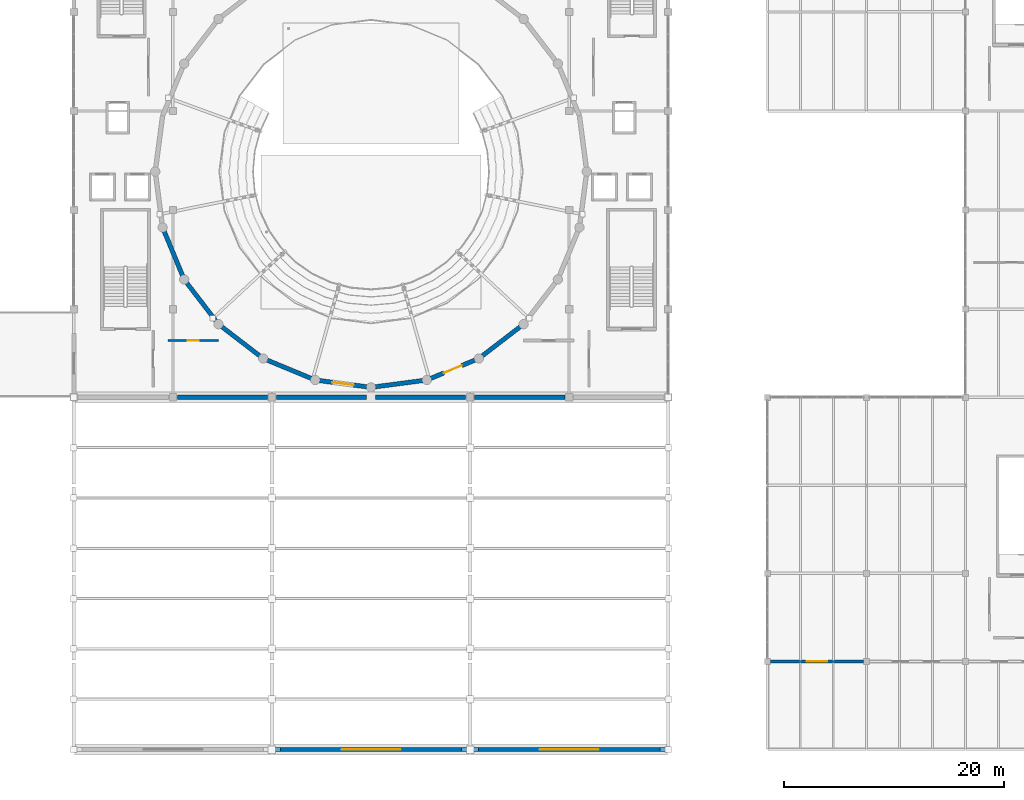
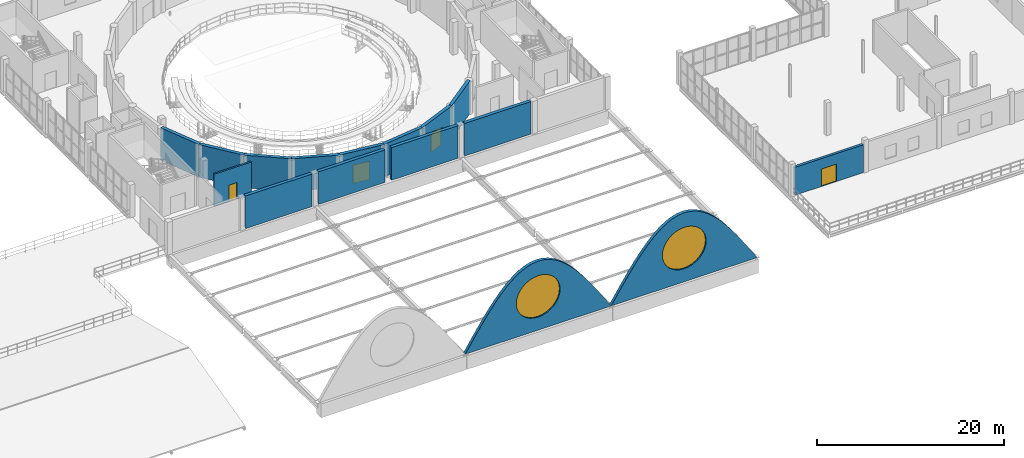
# One storey, part 41 of 54: 16 walls, 4 doors, 2 windows, 6 openings.
"""IFC4 building model written with IfcOpenShell, lengths in metres."""

from ifc_helpers import new_model, si_unit, direction, frame, frame_2d, origin, place, context, subcontext, project, spatial, polyline, rectangle, outline, extrude, material, layer, layer_set, type_object, element, fill, save


model = new_model("IFC4")

# Units and contexts
model_context = context("Model", 3, precision=1e-05, world=origin(), true_north=direction((0.0, 1.0)))
body_context = subcontext(model_context, "Body", "Model", "MODEL_VIEW")
ifc_project = project(units=[si_unit("LENGTHUNIT", "METRE"), si_unit("AREAUNIT", "SQUARE_METRE"), si_unit("VOLUMEUNIT", "CUBIC_METRE"), si_unit("PLANEANGLEUNIT", "RADIAN"), si_unit("MASSUNIT", "GRAM", prefix="KILO")], contexts=[model_context])

# Site, building, storey
site_placement = place(None, origin())
site = spatial("IfcSite", under=ifc_project, at=site_placement, CompositionType="ELEMENT")
building_placement = place(site_placement, origin())
building = spatial("IfcBuilding", under=site, at=building_placement, Name="Marnock Terrace Opera House", CompositionType="ELEMENT")
storey_placement = place(building_placement, frame((0.0, 0.0, 19.199951171875)))
storey = spatial("IfcBuildingStorey", under=building, at=storey_placement, Name="L04", CompositionType="ELEMENT", Elevation=19.199951171875)

# Wall, opening, door
ifc_material_1 = material(Name="Basket Range sandstone ashlar masonry", Category="masonry")
ifc_layer_1 = layer(ifc_material_1, 0.31005859375)
ifc_layer_set_1 = layer_set([ifc_layer_1], Name="Basket Range sandstone ashlar masonry")
wall_type_1 = type_object("IfcWallType", Name="EW-ATTIC-310", PredefinedType="SOLIDWALL", material=ifc_layer_set_1)
wall_1_placement = place(storey_placement, frame((126.72900390625, 16.0, 0.0), z_axis=(0.0, 0.0, 1.0), x_axis=(-1.0, 0.0, 0.0)))
wall_1 = element("IfcWall", 1, at=wall_1_placement, inside=storey, type_object=wall_type_1, Name="L04 Volume 5 south sandstone facade 1", PredefinedType="SOLIDWALL", context=body_context, shape_type="SweptSolid", body=[
    extrude(rectangle(XDim=8.4580078125, YDim=0.31005859375, at=frame_2d((4.22900390625, 0.0))), origin(), (0.0, 0.0, 1.0), 3.638427734375),
])
opening_1_placement = place(wall_1_placement, frame((3.303955078125, 0.0, 0.0)))
opening_1 = element("IfcOpeningElement", 2, at=opening_1_placement, cuts=wall_1, Name="Opening TD-04", PredefinedType="OPENING", context=body_context, shape_type="SweptSolid", body=[
    extrude(rectangle(XDim=1.85009765625, YDim=2.280029296875, at=frame_2d((0.925048828125, 1.14013671875))), frame((0.0, 0.1650390625, 0.0), z_axis=(0.0, -1.0, 0.0), x_axis=(1.0, 0.0, 0.0)), (0.0, 0.0, 1.0), 0.330078125),
])
ifc_material_2 = material(Name="Anodised architectural bronze aluminium framing", Category="aluminium")
door_type_1 = type_object("IfcDoorType", Name="DT-TERR-1850", OperationType="NOTDEFINED", PredefinedType="DOOR", material=ifc_material_2)
door_1_placement = place(opening_1_placement, origin())
door_1 = element("IfcDoor", 3, at=door_1_placement, inside=storey, type_object=door_type_1, Name="Exterior door TD-04", OperationType="DOUBLE_DOOR_SINGLE_SWING", OverallHeight=2.280029296875, OverallWidth=1.85009765625, PredefinedType="DOOR", context=body_context, shape_type="SweptSolid", body=[
    extrude(rectangle(XDim=1.85009765625, YDim=2.280029296875, at=frame_2d((0.925048828125, 1.14013671875))), frame((0.0, 0.02490234375, 0.0), z_axis=(0.0, -1.0, 0.0), x_axis=(1.0, 0.0, 0.0)), (0.0, 0.0, 1.0), 0.050048828125),
])
fill(opening_1, door_1)

ifc_material_3 = material(Name="Moisture-resistant tiled service duct framing")
ifc_layer_2 = layer(ifc_material_3, 0.205078125)
ifc_layer_set_2 = layer_set([ifc_layer_2], Name="Moisture-resistant tiled service duct framing")
wall_type_2 = type_object("IfcWallType", Name="IW-PLUMB-205", PredefinedType="PLUMBINGWALL", material=ifc_layer_set_2)
wall_2_placement = place(storey_placement, frame((63.550048828125, 45.14990234375, 0.0), z_axis=(0.0, 0.0, 1.0), x_axis=(1.0, 0.0, 0.0)))
wall_2 = element("IfcWall", 4, at=wall_2_placement, inside=storey, type_object=wall_type_2, Name="L04 Public WC L04 Central acoustic partition wall", PredefinedType="PLUMBINGWALL", context=body_context, shape_type="SweptSolid", body=[
    extrude(rectangle(XDim=4.599853515625, YDim=0.205078125, at=frame_2d((2.2998046875, 0.0))), origin(), (0.0, 0.0, 1.0), 4.199951171875),
])
opening_2_placement = place(wall_2_placement, frame((1.81005859375, 0.0, 0.0)))
opening_2 = element("IfcOpeningElement", 5, at=opening_2_placement, cuts=wall_2, Name="Opening D-L04-12", PredefinedType="OPENING", context=body_context, shape_type="SweptSolid", body=[
    extrude(rectangle(XDim=0.97998046875, YDim=2.139892578125, at=frame_2d((0.489990234375, 1.06982421875))), frame((0.0, 0.112548828125, 0.0), z_axis=(0.0, -1.0, 0.0), x_axis=(1.0, 0.0, 0.0)), (0.0, 0.0, 1.0), 0.22509765625),
])
ifc_material_4 = material(Name="Solid-core Tasmanian oak acoustic door leaf")
door_type_2 = type_object("IfcDoorType", Name="DT-WC-980", OperationType="NOTDEFINED", PredefinedType="DOOR", material=ifc_material_4)
door_2_placement = place(opening_2_placement, origin())
door_2 = element("IfcDoor", 6, at=door_2_placement, inside=storey, type_object=door_type_2, Name="L04 Public WC L04 Central entrance door", OperationType="SINGLE_SWING_RIGHT", OverallHeight=2.139892578125, OverallWidth=0.97998046875, PredefinedType="DOOR", context=body_context, shape_type="SweptSolid", body=[
    extrude(rectangle(XDim=0.97998046875, YDim=2.139892578125, at=frame_2d((0.489990234375, 1.06982421875))), frame((0.0, 0.02490234375, 0.0), z_axis=(0.0, -1.0, 0.0), x_axis=(1.0, 0.0, 0.0)), (0.0, 0.0, 1.0), 0.050048828125),
])
fill(opening_2, door_2)

# Walls
ifc_material_5 = material(Name="Concrete N50 (f'c = 50 MPa)", Category="concrete")
ifc_layer_3 = layer(ifc_material_5, 0.39990234375)
ifc_layer_set_3 = layer_set([ifc_layer_3], Name="Concrete N50 (f'c = 50 MPa)")
wall_type_3 = type_object("IfcWallType", Name="SW-DRUM-400", PredefinedType="SHEAR", material=ifc_layer_set_3)
for number, where, z_axis, x_axis, name in (
    (7, (63.068115234375, 55.427001953125, 0.0), (0.0, 0.0, 1.0), (0.382642581018, -0.923896452635, 0.0), "L04 cylindrical auditorium drum shear wall 14"),
    (8, (65.02587890625, 50.699951171875, 0.0), (0.0, 0.0, 1.0), (0.608857194409, -0.793279847731, 0.0), "L04 cylindrical auditorium drum shear wall 15"),
    (9, (68.14111328125, 46.64111328125, 0.0), (0.0, 0.0, 1.0), (0.793279847731, -0.608857194409, 0.0), "L04 cylindrical auditorium drum shear wall 16"),
    (10, (72.199951171875, 43.52587890625, 0.0), (0.0, 0.0, 1.0), (0.923896452635, -0.382642581018, 0.0), "L04 cylindrical auditorium drum shear wall 17"),
):
    element("IfcWall", number, at=place(storey_placement, frame(where, z_axis=z_axis, x_axis=x_axis)), inside=storey, type_object=wall_type_3, Name=name, PredefinedType="SHEAR", context=body_context, shape_type="SweptSolid", body=[
        extrude(rectangle(XDim=5.116455078125, YDim=0.39990234375, at=frame_2d((2.55810546875, 0.0))), origin(), (0.0, 0.0, 1.0), 4.25),
    ])

# Wall, opening, door
wall_3_placement = place(storey_placement, frame((76.927001953125, 41.568115234375, 0.0), z_axis=(0.0, 0.0, 1.0), x_axis=(0.99143625958, -0.130591512704, 0.0)))
wall_3 = element("IfcWall", 11, at=wall_3_placement, inside=storey, type_object=wall_type_3, Name="L04 cylindrical auditorium drum shear wall 18", PredefinedType="SHEAR", context=body_context, shape_type="SweptSolid", body=[
    extrude(rectangle(XDim=5.11669921875, YDim=0.39990234375, at=frame_2d((2.558349609375, 0.0))), origin(), (0.0, 0.0, 1.0), 4.25),
])
opening_3_placement = place(wall_3_placement, frame((1.58349609375, 0.0, 0.0)))
opening_3 = element("IfcOpeningElement", 12, at=opening_3_placement, cuts=wall_3, Name="Opening AD-L04-17", PredefinedType="OPENING", context=body_context, shape_type="SweptSolid", body=[
    extrude(rectangle(XDim=1.949951171875, YDim=2.39990234375, at=frame_2d((0.97509765625, 1.199951171875))), frame((0.0, 0.2099609375, 0.0), z_axis=(0.0, -1.0, 0.0), x_axis=(1.0, 0.0, 0.0)), (0.0, 0.0, 1.0), 0.419921875),
])
door_type_3 = type_object("IfcDoorType", Name="DT-AUD-1950", OperationType="NOTDEFINED", PredefinedType="DOOR", material=ifc_material_4)
door_3_placement = place(opening_3_placement, origin())
door_3 = element("IfcDoor", 13, at=door_3_placement, inside=storey, type_object=door_type_3, Name="L04 Auditorium sound-lock double door 17", OperationType="DOUBLE_DOOR_SINGLE_SWING", OverallHeight=2.39990234375, OverallWidth=1.949951171875, PredefinedType="DOOR", context=body_context, shape_type="SweptSolid", body=[
    extrude(rectangle(XDim=1.949951171875, YDim=2.39990234375, at=frame_2d((0.97509765625, 1.199951171875))), frame((0.0, 0.02490234375, 0.0), z_axis=(0.0, -1.0, 0.0), x_axis=(1.0, 0.0, 0.0)), (0.0, 0.0, 1.0), 0.050048828125),
])
fill(opening_3, door_3)

# Wall
wall_4_placement = place(storey_placement, frame((82.0, 40.89990234375, 0.0), z_axis=(0.0, 0.0, 1.0), x_axis=(0.99143625958, 0.130591512704, 0.0)))
element("IfcWall", 14, at=wall_4_placement, inside=storey, type_object=wall_type_3, Name="L04 cylindrical auditorium drum shear wall 19", PredefinedType="SHEAR", context=body_context, shape_type="SweptSolid", body=[
    extrude(rectangle(XDim=5.11669921875, YDim=0.39990234375, at=frame_2d((2.558349609375, 0.0))), origin(), (0.0, 0.0, 1.0), 4.25),
])

# Wall, opening, door
wall_5_placement = place(storey_placement, frame((87.072998046875, 41.568115234375, 0.0), z_axis=(0.0, 0.0, 1.0), x_axis=(0.923896452635, 0.382642581018, 0.0)))
wall_5 = element("IfcWall", 15, at=wall_5_placement, inside=storey, type_object=wall_type_3, Name="L04 cylindrical auditorium drum shear wall 20", PredefinedType="SHEAR", context=body_context, shape_type="SweptSolid", body=[
    extrude(rectangle(XDim=5.116455078125, YDim=0.39990234375, at=frame_2d((2.55810546875, 0.0))), origin(), (0.0, 0.0, 1.0), 4.25),
])
opening_4_placement = place(wall_5_placement, frame((1.68310546875, 0.0, 0.0)))
opening_4 = element("IfcOpeningElement", 16, at=opening_4_placement, cuts=wall_5, Name="Opening AD-L04-19", PredefinedType="OPENING", context=body_context, shape_type="SweptSolid", body=[
    extrude(rectangle(XDim=1.75, YDim=2.35009765625, at=frame_2d((0.875, 1.175048828125))), frame((0.0, 0.2099609375, 0.0), z_axis=(0.0, -1.0, 0.0), x_axis=(1.0, 0.0, 0.0)), (0.0, 0.0, 1.0), 0.419921875),
])
door_type_4 = type_object("IfcDoorType", Name="DT-AUD-1750", OperationType="NOTDEFINED", PredefinedType="DOOR", material=ifc_material_4)
door_4_placement = place(opening_4_placement, origin())
door_4 = element("IfcDoor", 17, at=door_4_placement, inside=storey, type_object=door_type_4, Name="L04 Auditorium sound-lock double door 19", OperationType="DOUBLE_DOOR_SINGLE_SWING", OverallHeight=2.35009765625, OverallWidth=1.75, PredefinedType="DOOR", context=body_context, shape_type="SweptSolid", body=[
    extrude(rectangle(XDim=1.75, YDim=2.35009765625, at=frame_2d((0.875, 1.175048828125))), frame((0.0, 0.02490234375, 0.0), z_axis=(0.0, -1.0, 0.0), x_axis=(1.0, 0.0, 0.0)), (0.0, 0.0, 1.0), 0.050048828125),
])
fill(opening_4, door_4)

# Walls
wall_6_placement = place(storey_placement, frame((91.800048828125, 43.52587890625, 0.0), z_axis=(0.0, 0.0, 1.0), x_axis=(0.793279847731, 0.608857194409, 0.0)))
element("IfcWall", 18, at=wall_6_placement, inside=storey, type_object=wall_type_3, Name="L04 cylindrical auditorium drum shear wall 21", PredefinedType="SHEAR", context=body_context, shape_type="SweptSolid", body=[
    extrude(rectangle(XDim=5.116455078125, YDim=0.39990234375, at=frame_2d((2.55810546875, 0.0))), origin(), (0.0, 0.0, 1.0), 4.25),
])
for number, where, z_axis, x_axis, name in (
    (19, (64.39990234375, 40.0, 0.0), (0.0, 0.0, 1.0), (1.0, 0.0, 0.0), "L04 Drum block south structural diaphragm wall"),
    (20, (73.39990234375, 40.0, 0.0), (0.0, 0.0, 1.0), (1.0, 0.0, 0.0), "L04 Drum block south structural diaphragm wall"),
    (21, (82.39990234375, 40.0, 0.0), (0.0, 0.0, 1.0), (1.0, 0.0, 0.0), "L04 Drum block south structural diaphragm wall"),
    (22, (91.39990234375, 40.0, 0.0), (0.0, 0.0, 1.0), (1.0, 0.0, 0.0), "L04 Drum block south structural diaphragm wall"),
):
    element("IfcWall", number, at=place(storey_placement, frame(where, z_axis=z_axis, x_axis=x_axis)), inside=storey, type_object=wall_type_3, Name=name, PredefinedType="SHEAR", context=body_context, shape_type="SweptSolid", body=[
        extrude(rectangle(XDim=8.2001953125, YDim=0.39990234375, at=frame_2d((4.10009765625, 0.0))), origin(), (0.0, 0.0, 1.0), 4.25),
    ])

# Wall, opening, window
ifc_material_6 = material(Name="Concrete N40 (f'c = 40 MPa)", Category="concrete")
ifc_layer_4 = layer(ifc_material_6, 0.3798828125)
ifc_layer_set_4 = layer_set([ifc_layer_4], Name="Concrete N40 (f'c = 40 MPa)")
wall_type_4 = type_object("IfcWallType", Name="SW-WORK-380", PredefinedType="SHEAR", material=ifc_layer_set_4)
wall_7_placement = place(storey_placement, frame((73.0, 8.0, 0.0), z_axis=(0.0, 0.0, 1.0), x_axis=(1.0, 0.0, 0.0)))
wall_7 = element("IfcWall", 23, at=wall_7_placement, inside=storey, type_object=wall_type_4, Name="Grand Hall south pale-rendered semicircular structural gable 2", PredefinedType="SHEAR", context=body_context, shape_type="SweptSolid", body=[
    extrude(outline(polyline([(0.0, 0.0), (18.0, 0.0), (18.0, 0.0), (17.25, 1.1748046875), (16.5, 2.329345703125), (15.75, 3.4443359375), (15.0, 4.5), (14.25, 5.47900390625), (13.5, 6.364013671875), (12.75, 7.14013671875), (12.0, 7.794189453125), (11.25, 8.31494140625), (10.5, 8.693359375), (9.75, 8.923095703125), (9.0, 9.0), (8.25, 8.923095703125), (7.5, 8.693359375), (6.75, 8.31494140625), (6.0, 7.794189453125), (5.25, 7.14013671875), (4.5, 6.364013671875), (3.75, 5.47900390625), (3.0, 4.5), (2.25, 3.4443359375), (1.5, 2.329345703125), (0.75, 1.1748046875), (0.0, 0.0), (0.0, 0.0)])), frame((0.0, 0.18994140625, 0.0), z_axis=(0.0, -1.0, 0.0), x_axis=(1.0, 0.0, 0.0)), (0.0, 0.0, 1.0), 0.3798828125),
])
opening_5_placement = place(wall_7_placement, frame((6.300048828125, 0.0, 1.699951171875)))
opening_5 = element("IfcOpeningElement", 24, at=opening_5_placement, cuts=wall_7, Name="Opening WT-64", PredefinedType="OPENING", context=body_context, shape_type="SweptSolid", body=[
    extrude(outline(polyline([(5.39990234375, 2.699951171875), (5.34814453125, 3.226806640625), (5.1943359375, 3.733154296875), (4.94482421875, 4.199951171875), (4.609130859375, 4.609130859375), (4.199951171875, 4.94482421875), (3.733154296875, 5.1943359375), (3.226806640625, 5.34814453125), (2.699951171875, 5.39990234375), (2.173095703125, 5.34814453125), (1.666748046875, 5.1943359375), (1.199951171875, 4.94482421875), (0.790771484375, 4.609130859375), (0.455078125, 4.199951171875), (0.20556640625, 3.733154296875), (0.0517578125, 3.226806640625), (0.0, 2.699951171875), (0.0517578125, 2.173095703125), (0.20556640625, 1.666748046875), (0.455078125, 1.199951171875), (0.790771484375, 0.790771484375), (1.199951171875, 0.455078125), (1.666748046875, 0.20556640625), (2.173095703125, 0.0517578125), (2.699951171875, 0.0), (3.226806640625, 0.0517578125), (3.733154296875, 0.20556640625), (4.199951171875, 0.455078125), (4.609130859375, 0.790771484375), (4.94482421875, 1.199951171875), (5.1943359375, 1.666748046875), (5.34814453125, 2.173095703125), (5.39990234375, 2.699951171875)])), frame((0.0, 0.199951171875, 0.0), z_axis=(0.0, -1.0, 0.0), x_axis=(1.0, 0.0, 0.0)), (0.0, 0.0, 1.0), 0.39990234375),
])
ifc_material_7 = material(Name="Double-glazed acoustic low-E laminated glass", Category="glass")
window_type = type_object("IfcWindowType", Name="WT-OCULUS-5400", PartitioningType="SINGLE_PANEL", PredefinedType="WINDOW", material=ifc_material_7)
window_1_placement = place(opening_5_placement, origin())
window_1 = element("IfcWindow", 25, at=window_1_placement, inside=storey, type_object=window_type, Name="Grand Hall south gable 5.40 m round oculus window 2", OverallHeight=5.39990234375, OverallWidth=5.39990234375, PartitioningType="SINGLE_PANEL", PredefinedType="WINDOW", context=body_context, shape_type="SweptSolid", body=[
    extrude(outline(polyline([(5.39990234375, 2.699951171875), (5.34814453125, 3.226806640625), (5.1943359375, 3.733154296875), (4.94482421875, 4.199951171875), (4.609130859375, 4.609130859375), (4.199951171875, 4.94482421875), (3.733154296875, 5.1943359375), (3.226806640625, 5.34814453125), (2.699951171875, 5.39990234375), (2.173095703125, 5.34814453125), (1.666748046875, 5.1943359375), (1.199951171875, 4.94482421875), (0.790771484375, 4.609130859375), (0.455078125, 4.199951171875), (0.20556640625, 3.733154296875), (0.0517578125, 3.226806640625), (0.0, 2.699951171875), (0.0517578125, 2.173095703125), (0.20556640625, 1.666748046875), (0.455078125, 1.199951171875), (0.790771484375, 0.790771484375), (1.199951171875, 0.455078125), (1.666748046875, 0.20556640625), (2.173095703125, 0.0517578125), (2.699951171875, 0.0), (3.226806640625, 0.0517578125), (3.733154296875, 0.20556640625), (4.199951171875, 0.455078125), (4.609130859375, 0.790771484375), (4.94482421875, 1.199951171875), (5.1943359375, 1.666748046875), (5.34814453125, 2.173095703125), (5.39990234375, 2.699951171875)])), frame((0.0, 0.030029296875, 0.0), z_axis=(0.0, -1.0, 0.0), x_axis=(1.0, 0.0, 0.0)), (0.0, 0.0, 1.0), 0.06005859375),
])
fill(opening_5, window_1)

wall_8_placement = place(storey_placement, frame((91.0, 8.0, 0.0), z_axis=(0.0, 0.0, 1.0), x_axis=(1.0, 0.0, 0.0)))
wall_8 = element("IfcWall", 26, at=wall_8_placement, inside=storey, type_object=wall_type_4, Name="Grand Hall south pale-rendered semicircular structural gable 3", PredefinedType="SHEAR", context=body_context, shape_type="SweptSolid", body=[
    extrude(outline(polyline([(0.0, 0.0), (18.0, 0.0), (18.0, 0.0), (17.25, 1.1748046875), (16.5, 2.329345703125), (15.75, 3.4443359375), (15.0, 4.5), (14.25, 5.47900390625), (13.5, 6.364013671875), (12.75, 7.14013671875), (12.0, 7.794189453125), (11.25, 8.31494140625), (10.5, 8.693359375), (9.75, 8.923095703125), (9.0, 9.0), (8.25, 8.923095703125), (7.5, 8.693359375), (6.75, 8.31494140625), (6.0, 7.794189453125), (5.25, 7.14013671875), (4.5, 6.364013671875), (3.75, 5.47900390625), (3.0, 4.5), (2.25, 3.4443359375), (1.5, 2.329345703125), (0.75, 1.1748046875), (0.0, 0.0), (0.0, 0.0)])), frame((0.0, 0.18994140625, 0.0), z_axis=(0.0, -1.0, 0.0), x_axis=(1.0, 0.0, 0.0)), (0.0, 0.0, 1.0), 0.3798828125),
])
opening_6_placement = place(wall_8_placement, frame((6.300048828125, 0.0, 1.699951171875)))
opening_6 = element("IfcOpeningElement", 27, at=opening_6_placement, cuts=wall_8, Name="Opening WT-64", PredefinedType="OPENING", context=body_context, shape_type="SweptSolid", body=[
    extrude(outline(polyline([(5.39990234375, 2.699951171875), (5.34814453125, 3.226806640625), (5.1943359375, 3.733154296875), (4.94482421875, 4.199951171875), (4.609130859375, 4.609130859375), (4.199951171875, 4.94482421875), (3.733154296875, 5.1943359375), (3.226806640625, 5.34814453125), (2.699951171875, 5.39990234375), (2.173095703125, 5.34814453125), (1.666748046875, 5.1943359375), (1.199951171875, 4.94482421875), (0.790771484375, 4.609130859375), (0.455078125, 4.199951171875), (0.20556640625, 3.733154296875), (0.0517578125, 3.226806640625), (0.0, 2.699951171875), (0.0517578125, 2.173095703125), (0.20556640625, 1.666748046875), (0.455078125, 1.199951171875), (0.790771484375, 0.790771484375), (1.199951171875, 0.455078125), (1.666748046875, 0.20556640625), (2.173095703125, 0.0517578125), (2.699951171875, 0.0), (3.226806640625, 0.0517578125), (3.733154296875, 0.20556640625), (4.199951171875, 0.455078125), (4.609130859375, 0.790771484375), (4.94482421875, 1.199951171875), (5.1943359375, 1.666748046875), (5.34814453125, 2.173095703125), (5.39990234375, 2.699951171875)])), frame((0.0, 0.199951171875, 0.0), z_axis=(0.0, -1.0, 0.0), x_axis=(1.0, 0.0, 0.0)), (0.0, 0.0, 1.0), 0.39990234375),
])
window_2_placement = place(opening_6_placement, origin())
window_2 = element("IfcWindow", 28, at=window_2_placement, inside=storey, type_object=window_type, Name="Grand Hall south gable 5.40 m round oculus window 3", OverallHeight=5.39990234375, OverallWidth=5.39990234375, PartitioningType="SINGLE_PANEL", PredefinedType="WINDOW", context=body_context, shape_type="SweptSolid", body=[
    extrude(outline(polyline([(5.39990234375, 2.699951171875), (5.34814453125, 3.226806640625), (5.1943359375, 3.733154296875), (4.94482421875, 4.199951171875), (4.609130859375, 4.609130859375), (4.199951171875, 4.94482421875), (3.733154296875, 5.1943359375), (3.226806640625, 5.34814453125), (2.699951171875, 5.39990234375), (2.173095703125, 5.34814453125), (1.666748046875, 5.1943359375), (1.199951171875, 4.94482421875), (0.790771484375, 4.609130859375), (0.455078125, 4.199951171875), (0.20556640625, 3.733154296875), (0.0517578125, 3.226806640625), (0.0, 2.699951171875), (0.0517578125, 2.173095703125), (0.20556640625, 1.666748046875), (0.455078125, 1.199951171875), (0.790771484375, 0.790771484375), (1.199951171875, 0.455078125), (1.666748046875, 0.20556640625), (2.173095703125, 0.0517578125), (2.699951171875, 0.0), (3.226806640625, 0.0517578125), (3.733154296875, 0.20556640625), (4.199951171875, 0.455078125), (4.609130859375, 0.790771484375), (4.94482421875, 1.199951171875), (5.1943359375, 1.666748046875), (5.34814453125, 2.173095703125), (5.39990234375, 2.699951171875)])), frame((0.0, 0.030029296875, 0.0), z_axis=(0.0, -1.0, 0.0), x_axis=(1.0, 0.0, 0.0)), (0.0, 0.0, 1.0), 0.06005859375),
])
fill(opening_6, window_2)

save(model, "model.ifc")
